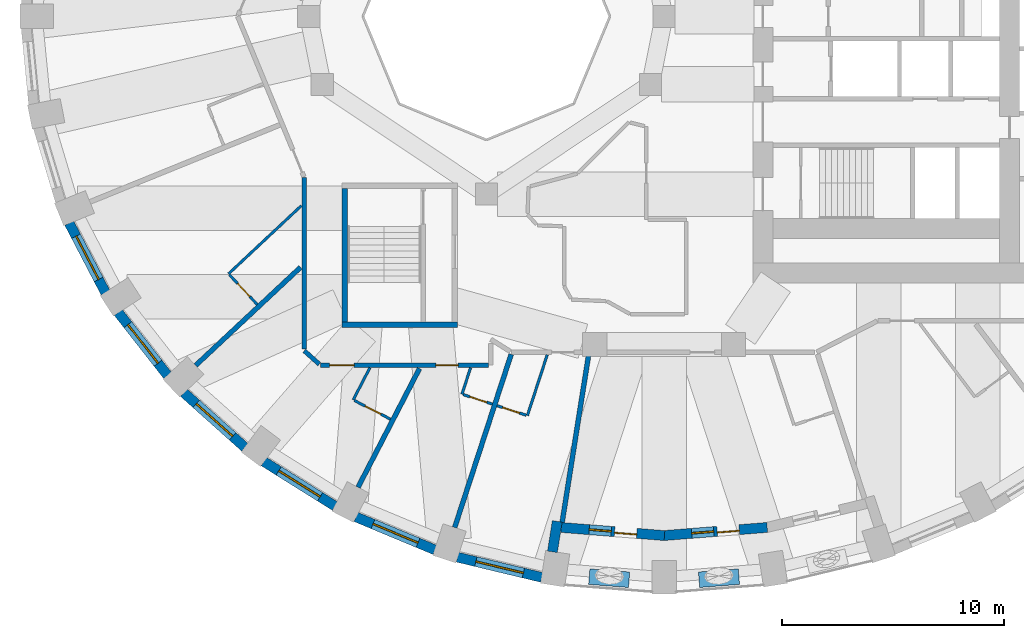
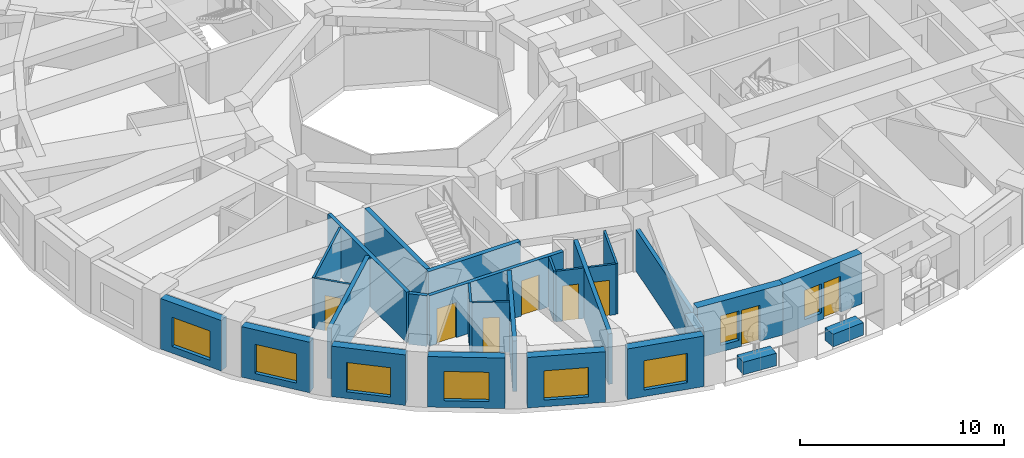
# One storey, part 3 of 13: 28 walls, 8 doors, 8 windows, 16 openings.
"""IFC4 building model written with IfcOpenShell, lengths in metres."""

import ifcopenshell
import ifcopenshell.guid

model = None  # the IFC model being written
_history = None  # IfcOwnerHistory: only IFC2X3 demands one
_inside = {}  # id of a spatial element -> (the spatial element, [elements in it])
_under = {}  # id of a project, library or spatial element -> (it, [spatial elements below it])
_declared = {}  # id of a project -> (the project, [libraries it declares])
_typed = {}  # id of a type object -> (the type object, [elements of that type])
_made_of = {}  # id of a material, layer set ... -> (it, [elements and type objects made of it])


def new_model(schema):
    """Start an empty IFC model of exactly this schema.

    Asked for "IFC4X3", IfcOpenShell would pick the latest addendum, in which some entities
    have other attributes; the version numbers below select the first issue.
    IFC2X3 requires an IfcOwnerHistory on every rooted entity: one is made here for all.
    """
    global model, _history
    if schema == "IFC4X3":
        model = ifcopenshell.file(schema_version=(4, 3, 0, 0))
    else:
        model = ifcopenshell.file(schema=schema)
    _inside.clear()
    _under.clear()
    _declared.clear()
    _typed.clear()
    _made_of.clear()
    _history = None
    if model.schema == "IFC2X3":
        org = make("IfcOrganization", Name="unknown")
        user = make(
            "IfcPersonAndOrganization",
            ThePerson=make("IfcPerson", FamilyName="unknown"),
            TheOrganization=org,
        )
        app = make(
            "IfcApplication",
            ApplicationDeveloper=org,
            Version="unknown",
            ApplicationFullName="unknown",
            ApplicationIdentifier="unknown",
        )
        _history = make(
            "IfcOwnerHistory",
            OwningUser=user,
            OwningApplication=app,
            ChangeAction="ADDED",
            CreationDate=0,
        )
    return model


def make(cls, **values):
    """One entity of the class cls with the attributes given. An attribute that is None is left unset."""
    return model.create_entity(
        cls, **{name: value for name, value in values.items() if value is not None}
    )


def rooted(cls, **values):
    """An entity with a GlobalId (a new one), such as an element, a storey or a relation."""
    return make(cls, GlobalId=ifcopenshell.guid.new(), OwnerHistory=_history, **values)


def si_unit(unit_type, name, prefix=None):
    """IfcSIUnit, for example si_unit("LENGTHUNIT", "METRE", prefix="MILLI")."""
    return make("IfcSIUnit", UnitType=unit_type, Prefix=prefix, Name=name)


def assignment(units):
    """IfcUnitAssignment: the units of a project."""
    return None if units is None else make("IfcUnitAssignment", Units=units)


def point(xyz):
    """IfcCartesianPoint."""
    return None if xyz is None else make("IfcCartesianPoint", Coordinates=xyz)


def direction(xyz):
    """IfcDirection."""
    return None if xyz is None else make("IfcDirection", DirectionRatios=xyz)


def frame(location, z_axis=None, x_axis=None):
    """IfcAxis2Placement3D, a coordinate frame: its origin and axes. An axis left out is left unset."""
    return make(
        "IfcAxis2Placement3D",
        Location=point(location),
        Axis=direction(z_axis),
        RefDirection=direction(x_axis),
    )


def frame_2d(location, x_axis=None):
    """IfcAxis2Placement2D, a coordinate frame in the plane: its origin and x axis."""
    return make(
        "IfcAxis2Placement2D", Location=point(location), RefDirection=direction(x_axis)
    )


def origin():
    """The frame at (0, 0, 0) with its axes left unset."""
    return frame((0.0, 0.0, 0.0))


def place(relative_to, where):
    """IfcLocalPlacement: puts the frame where relative to a parent placement (None: the world)."""
    return make(
        "IfcLocalPlacement", PlacementRelTo=relative_to, RelativePlacement=where
    )


def context(
    kind, dimensions, precision=None, world=None, true_north=None, identifier=None
):
    """IfcGeometricRepresentationContext, for example the 3D "Model" context."""
    return make(
        "IfcGeometricRepresentationContext",
        ContextIdentifier=identifier,
        ContextType=kind,
        CoordinateSpaceDimension=dimensions,
        Precision=precision,
        WorldCoordinateSystem=world,
        TrueNorth=true_north,
    )


def subcontext(parent, identifier, kind, view, scale=None):
    """IfcGeometricRepresentationSubContext, for example "Body" below "Model"."""
    return make(
        "IfcGeometricRepresentationSubContext",
        ContextIdentifier=identifier,
        ContextType=kind,
        ParentContext=parent,
        TargetScale=scale,
        TargetView=view,
    )


def project(units=None, contexts=None):
    """IfcProject with its units and contexts."""
    return rooted(
        "IfcProject",
        Name="project",
        RepresentationContexts=contexts,
        UnitsInContext=assignment(units),
    )


def spatial(cls, under=None, at=None, **own):
    """A site, building, storey or space (cls), placed at a placement, below another one or the project."""
    s = rooted(cls, ObjectPlacement=at, **own)
    if under is not None:
        _under.setdefault(under.id(), (under, []))[1].append(s)
    return s


def profile(cls, at=None, kind="AREA", **sizes):
    """A parametric profile (cls). Its sizes go by their IFC names, for example OverallWidth=200.0."""
    return make(cls, ProfileType=kind, Position=at, **sizes)


def rectangle(**sizes):
    """IfcRectangleProfileDef."""
    return profile("IfcRectangleProfileDef", **sizes)


def extrude(swept, where, along, depth):
    """IfcExtrudedAreaSolid: the profile swept, set in the frame where, extruded along a direction by depth."""
    return make(
        "IfcExtrudedAreaSolid",
        SweptArea=swept,
        Position=where,
        ExtrudedDirection=direction(along),
        Depth=depth,
    )


def shape(context_of_items, identifier, shape_type, items):
    """IfcShapeRepresentation: the items that make up one representation, for example the "Body"."""
    return make(
        "IfcShapeRepresentation",
        ContextOfItems=context_of_items,
        RepresentationIdentifier=identifier,
        RepresentationType=shape_type,
        Items=items,
    )


def material(Name=None, Category=None):
    """IfcMaterial."""
    return make("IfcMaterial", Name=Name, Category=Category)


def layer(
    of_material, thickness, ventilated=None, Name=None, Category=None, Priority=None
):
    """IfcMaterialLayer: one layer of a wall or slab, of a material (None: an air gap)."""
    return make(
        "IfcMaterialLayer",
        Material=of_material,
        LayerThickness=thickness,
        IsVentilated=ventilated,
        Name=Name,
        Category=Category,
        Priority=Priority,
    )


def layer_set(layers, Name=None):
    """IfcMaterialLayerSet."""
    return make("IfcMaterialLayerSet", MaterialLayers=layers, LayerSetName=Name)


def constituent(of_material, Name=None, Category=None, fraction=None):
    """IfcMaterialConstituent: one of the materials an element consists of."""
    return make(
        "IfcMaterialConstituent",
        Name=Name,
        Material=of_material,
        Fraction=fraction,
        Category=Category,
    )


def constituent_set(constituents=None, Name=None):
    """IfcMaterialConstituentSet."""
    return make(
        "IfcMaterialConstituentSet", Name=Name, MaterialConstituents=constituents
    )


def made_of(thing, what):
    """Note that an element or type object is made of a material, layer set ...; save() writes the relation."""
    if what is not None:
        _made_of.setdefault(what.id(), (what, []))[1].append(thing)
    return thing


def type_object(cls, material=None, **own):
    """A type object (cls), such as IfcWallType, which elements share."""
    return made_of(rooted(cls, **own), material)


def element(
    cls,
    number,
    at=None,
    inside=None,
    cuts=None,
    type_object=None,
    material=None,
    context=None,
    identifier="Body",
    shape_type=None,
    held_by="IfcProductDefinitionShape",
    body=None,
    shapes=None,
    **own,
):
    """One element of the class cls, such as IfcWall. Its Tag is "e" and its number.

    at: its placement. inside: the storey or other place that contains it. cuts: it is an
    opening in that element (IfcRelVoidsElement). A single representation is given by context,
    identifier, shape_type and body (its items); several are given by shapes. held_by: the class
    of the entity that holds the representations. save() writes the other relations.
    """
    e = rooted(cls, Tag="e%d" % number, ObjectPlacement=at, **own)
    if body is not None:
        shapes = [shape(context, identifier, shape_type, body)]
    if shapes is not None:
        e.Representation = make(held_by, Representations=shapes)
    if inside is not None:
        _inside.setdefault(inside.id(), (inside, []))[1].append(e)
    if cuts is not None:
        rooted(
            "IfcRelVoidsElement", RelatingBuildingElement=cuts, RelatedOpeningElement=e
        )
    if type_object is not None:
        _typed.setdefault(type_object.id(), (type_object, []))[1].append(e)
    return made_of(e, material)


def fill(opening, filler):
    """IfcRelFillsElement: the door or window that sits in an opening."""
    return rooted(
        "IfcRelFillsElement",
        RelatingOpeningElement=opening,
        RelatedBuildingElement=filler,
    )


def aggregate(whole, parts):
    """IfcRelAggregates: a whole, such as a stair, and the parts it consists of."""
    return rooted("IfcRelAggregates", RelatingObject=whole, RelatedObjects=parts)


def save(model, path):
    """Write the relations noted so far, then the file.

    IfcRelAggregates (storeys below a building ...), IfcRelContainedInSpatialStructure (elements
    in a storey), IfcRelDefinesByType, IfcRelAssociatesMaterial and IfcRelDeclares: one each for
    every whole, place, type object, material and project.
    """
    for whole, parts in _under.values():
        aggregate(whole, parts)
    for where, things in _inside.values():
        rooted(
            "IfcRelContainedInSpatialStructure",
            RelatedElements=things,
            RelatingStructure=where,
        )
    for kind, things in _typed.values():
        rooted("IfcRelDefinesByType", RelatedObjects=things, RelatingType=kind)
    for what, things in _made_of.values():
        rooted("IfcRelAssociatesMaterial", RelatedObjects=things, RelatingMaterial=what)
    for by, libraries in _declared.values():
        rooted("IfcRelDeclares", RelatingContext=by, RelatedDefinitions=libraries)
    model.write(path)


model = new_model("IFC4")

# Units and contexts
model_context = context("Model", 3, precision=1e-05, world=origin(), true_north=direction((0.0, 1.0)))
body_context = subcontext(model_context, "Body", "Model", "MODEL_VIEW")
ifc_project = project(units=[si_unit("LENGTHUNIT", "METRE"), si_unit("AREAUNIT", "SQUARE_METRE"), si_unit("VOLUMEUNIT", "CUBIC_METRE"), si_unit("PLANEANGLEUNIT", "RADIAN"), si_unit("MASSUNIT", "GRAM", prefix="KILO")], contexts=[model_context])

# Site, building, storey
site_placement = place(None, origin())
site = spatial("IfcSite", under=ifc_project, at=site_placement, CompositionType="ELEMENT")
building_placement = place(site_placement, origin())
building = spatial("IfcBuilding", under=site, at=building_placement, Name="Taillehof Tower", CompositionType="ELEMENT")
storey_placement = place(building_placement, frame((0.0, 0.0, 77.800048828125)))
storey = spatial("IfcBuildingStorey", under=building, at=storey_placement, Name="L21", CompositionType="ELEMENT", Elevation=77.800048828125)

# Wall, opening, window
ifc_material_1 = material(Name="Brick masonry", Category="masonry")
ifc_layer_1 = layer(ifc_material_1, 0.449951171875)
ifc_layer_set_1 = layer_set([ifc_layer_1], Name="Brick infill wall 450")
wall_type_1 = type_object("IfcWallType", Name="Brick infill wall 450", PredefinedType="SOLIDWALL", material=ifc_layer_set_1)
wall_1_placement = place(storey_placement, frame((-26.78564453125, -9.30517578125, 0.0), z_axis=(0.0, 0.0, 1.0), x_axis=(0.462492775226, -0.886623050041, 0.0)))
wall_1 = element("IfcWall", 1, at=wall_1_placement, inside=storey, type_object=wall_type_1, Name="Brick wall L21 bay 21", PredefinedType="SOLIDWALL", context=body_context, shape_type="SweptSolid", body=[
    extrude(rectangle(XDim=3.531982421875, YDim=0.449951171875, at=frame_2d((1.76611328125, 0.0))), origin(), (0.0, 0.0, 1.0), 3.02001953125),
])
opening_1_placement = place(wall_1_placement, frame((0.666015625, 0.0, 0.39990234375)))
opening_1 = element("IfcOpeningElement", 2, at=opening_1_placement, cuts=wall_1, Name="Opening W1", PredefinedType="OPENING", context=body_context, shape_type="SweptSolid", body=[
    extrude(rectangle(XDim=2.199951171875, YDim=1.75, at=frame_2d((1.10009765625, 0.875))), frame((0.0, 0.23486328125, 0.0), z_axis=(0.0, -1.0, 0.0), x_axis=(1.0, 0.0, 0.0)), (0.0, 0.0, 1.0), 0.469970703125),
])
ifc_material_2 = material(Name="Aluminium window frame with clear double glazing", Category="aluminium")
window_type_1 = type_object("IfcWindowType", Name="Deep-set window 2200x1750", PartitioningType="SINGLE_PANEL", PredefinedType="WINDOW", material=ifc_material_2)
window_1_placement = place(opening_1_placement, origin())
window_1 = element("IfcWindow", 3, at=window_1_placement, inside=storey, type_object=window_type_1, Name="W1", OverallHeight=1.75, OverallWidth=2.199951171875, PartitioningType="SINGLE_PANEL", PredefinedType="WINDOW", context=body_context, shape_type="SweptSolid", body=[
    extrude(rectangle(XDim=2.199951171875, YDim=1.75, at=frame_2d((1.10009765625, 0.875))), frame((0.0, 0.034912109375, 0.0), z_axis=(0.0, -1.0, 0.0), x_axis=(1.0, 0.0, 0.0)), (0.0, 0.0, 1.0), 0.06005859375),
])
fill(opening_1, window_1)

wall_2_placement = place(storey_placement, frame((-24.57763671875, -13.327880859375, 0.0), z_axis=(0.0, 0.0, 1.0), x_axis=(0.616661975264, -0.787228053529, 0.0)))
wall_2 = element("IfcWall", 4, at=wall_2_placement, inside=storey, type_object=wall_type_1, Name="Brick wall L21 bay 22", PredefinedType="SOLIDWALL", context=body_context, shape_type="SweptSolid", body=[
    extrude(rectangle(XDim=3.60986328125, YDim=0.449951171875, at=frame_2d((1.804931640625, 0.0))), origin(), (0.0, 0.0, 1.0), 3.02001953125),
])
opening_2_placement = place(wall_2_placement, frame((0.704833984375, 0.0, 0.39990234375)))
opening_2 = element("IfcOpeningElement", 5, at=opening_2_placement, cuts=wall_2, Name="Opening W1", PredefinedType="OPENING", context=body_context, shape_type="SweptSolid", body=[
    extrude(rectangle(XDim=2.199951171875, YDim=1.75, at=frame_2d((1.10009765625, 0.875))), frame((0.0, 0.23486328125, 0.0), z_axis=(0.0, -1.0, 0.0), x_axis=(1.0, 0.0, 0.0)), (0.0, 0.0, 1.0), 0.469970703125),
])
window_2_placement = place(opening_2_placement, origin())
window_2 = element("IfcWindow", 6, at=window_2_placement, inside=storey, type_object=window_type_1, Name="W1", OverallHeight=1.75, OverallWidth=2.199951171875, PartitioningType="SINGLE_PANEL", PredefinedType="WINDOW", context=body_context, shape_type="SweptSolid", body=[
    extrude(rectangle(XDim=2.199951171875, YDim=1.75, at=frame_2d((1.10009765625, 0.875))), frame((0.0, 0.034912109375, 0.0), z_axis=(0.0, -1.0, 0.0), x_axis=(1.0, 0.0, 0.0)), (0.0, 0.0, 1.0), 0.06005859375),
])
fill(opening_2, window_2)

wall_3_placement = place(storey_placement, frame((-21.626708984375, -16.943115234375, 0.0), z_axis=(0.0, 0.0, 1.0), x_axis=(0.745526233716, -0.66647628228, 0.0)))
wall_3 = element("IfcWall", 7, at=wall_3_placement, inside=storey, type_object=wall_type_1, Name="Brick wall L21 bay 23", PredefinedType="SOLIDWALL", context=body_context, shape_type="SweptSolid", body=[
    extrude(rectangle(XDim=3.69677734375, YDim=0.449951171875, at=frame_2d((1.848388671875, 0.0))), origin(), (0.0, 0.0, 1.0), 3.02001953125),
])
opening_3_placement = place(wall_3_placement, frame((0.74853515625, 0.0, 0.39990234375)))
opening_3 = element("IfcOpeningElement", 8, at=opening_3_placement, cuts=wall_3, Name="Opening W1", PredefinedType="OPENING", context=body_context, shape_type="SweptSolid", body=[
    extrude(rectangle(XDim=2.199951171875, YDim=1.75, at=frame_2d((1.10009765625, 0.875))), frame((0.0, 0.23486328125, 0.0), z_axis=(0.0, -1.0, 0.0), x_axis=(1.0, 0.0, 0.0)), (0.0, 0.0, 1.0), 0.469970703125),
])
window_3_placement = place(opening_3_placement, origin())
window_3 = element("IfcWindow", 9, at=window_3_placement, inside=storey, type_object=window_type_1, Name="W1", OverallHeight=1.75, OverallWidth=2.199951171875, PartitioningType="SINGLE_PANEL", PredefinedType="WINDOW", context=body_context, shape_type="SweptSolid", body=[
    extrude(rectangle(XDim=2.199951171875, YDim=1.75, at=frame_2d((1.10009765625, 0.875))), frame((0.0, 0.034912109375, 0.0), z_axis=(0.0, -1.0, 0.0), x_axis=(1.0, 0.0, 0.0)), (0.0, 0.0, 1.0), 0.06005859375),
])
fill(opening_3, window_3)

wall_4_placement = place(storey_placement, frame((-18.02294921875, -20.043701171875, 0.0), z_axis=(0.0, 0.0, 1.0), x_axis=(0.847635480093, -0.530579016629, 0.0)))
wall_4 = element("IfcWall", 10, at=wall_4_placement, inside=storey, type_object=wall_type_1, Name="Brick wall L21 bay 24", PredefinedType="SOLIDWALL", context=body_context, shape_type="SweptSolid", body=[
    extrude(rectangle(XDim=3.782470703125, YDim=0.449951171875, at=frame_2d((1.89111328125, 0.0))), origin(), (0.0, 0.0, 1.0), 3.02001953125),
])
opening_4_placement = place(wall_4_placement, frame((0.791259765625, 0.0, 0.39990234375)))
opening_4 = element("IfcOpeningElement", 11, at=opening_4_placement, cuts=wall_4, Name="Opening W1", PredefinedType="OPENING", context=body_context, shape_type="SweptSolid", body=[
    extrude(rectangle(XDim=2.199951171875, YDim=1.75, at=frame_2d((1.10009765625, 0.875))), frame((0.0, 0.23486328125, 0.0), z_axis=(0.0, -1.0, 0.0), x_axis=(1.0, 0.0, 0.0)), (0.0, 0.0, 1.0), 0.469970703125),
])
window_4_placement = place(opening_4_placement, origin())
window_4 = element("IfcWindow", 12, at=window_4_placement, inside=storey, type_object=window_type_1, Name="W1", OverallHeight=1.75, OverallWidth=2.199951171875, PartitioningType="SINGLE_PANEL", PredefinedType="WINDOW", context=body_context, shape_type="SweptSolid", body=[
    extrude(rectangle(XDim=2.199951171875, YDim=1.75, at=frame_2d((1.10009765625, 0.875))), frame((0.0, 0.034912109375, 0.0), z_axis=(0.0, -1.0, 0.0), x_axis=(1.0, 0.0, 0.0)), (0.0, 0.0, 1.0), 0.06005859375),
])
fill(opening_4, window_4)

wall_5_placement = place(storey_placement, frame((-13.875, -22.537353515625, 0.0), z_axis=(0.0, 0.0, 1.0), x_axis=(0.923031964282, -0.384723267966, 0.0)))
wall_5 = element("IfcWall", 13, at=wall_5_placement, inside=storey, type_object=wall_type_1, Name="Brick wall L21 bay 25", PredefinedType="SOLIDWALL", context=body_context, shape_type="SweptSolid", body=[
    extrude(rectangle(XDim=3.8564453125, YDim=0.449951171875, at=frame_2d((1.92822265625, 0.0))), origin(), (0.0, 0.0, 1.0), 3.02001953125),
])
opening_5_placement = place(wall_5_placement, frame((0.828125, 0.0, 0.39990234375)))
opening_5 = element("IfcOpeningElement", 14, at=opening_5_placement, cuts=wall_5, Name="Opening W1", PredefinedType="OPENING", context=body_context, shape_type="SweptSolid", body=[
    extrude(rectangle(XDim=2.199951171875, YDim=1.75, at=frame_2d((1.10009765625, 0.875))), frame((0.0, 0.23486328125, 0.0), z_axis=(0.0, -1.0, 0.0), x_axis=(1.0, 0.0, 0.0)), (0.0, 0.0, 1.0), 0.469970703125),
])
window_5_placement = place(opening_5_placement, origin())
window_5 = element("IfcWindow", 15, at=window_5_placement, inside=storey, type_object=window_type_1, Name="W1", OverallHeight=1.75, OverallWidth=2.199951171875, PartitioningType="SINGLE_PANEL", PredefinedType="WINDOW", context=body_context, shape_type="SweptSolid", body=[
    extrude(rectangle(XDim=2.199951171875, YDim=1.75, at=frame_2d((1.10009765625, 0.875))), frame((0.0, 0.034912109375, 0.0), z_axis=(0.0, -1.0, 0.0), x_axis=(1.0, 0.0, 0.0)), (0.0, 0.0, 1.0), 0.06005859375),
])
fill(opening_5, window_5)

wall_6_placement = place(storey_placement, frame((-9.3076171875, -24.349609375, 0.0), z_axis=(0.0, 0.0, 1.0), x_axis=(0.972496561493, -0.232917233979, 0.0)))
wall_6 = element("IfcWall", 16, at=wall_6_placement, inside=storey, type_object=wall_type_1, Name="Brick wall L21 bay 26", PredefinedType="SOLIDWALL", context=body_context, shape_type="SweptSolid", body=[
    extrude(rectangle(XDim=3.910888671875, YDim=0.449951171875, at=frame_2d((1.95556640625, 0.0))), origin(), (0.0, 0.0, 1.0), 3.02001953125),
])
opening_6_placement = place(wall_6_placement, frame((0.855224609375, 0.0, 0.39990234375)))
opening_6 = element("IfcOpeningElement", 17, at=opening_6_placement, cuts=wall_6, Name="Opening W1", PredefinedType="OPENING", context=body_context, shape_type="SweptSolid", body=[
    extrude(rectangle(XDim=2.199951171875, YDim=1.75, at=frame_2d((1.10009765625, 0.875))), frame((0.0, 0.23486328125, 0.0), z_axis=(0.0, -1.0, 0.0), x_axis=(1.0, 0.0, 0.0)), (0.0, 0.0, 1.0), 0.469970703125),
])
window_6_placement = place(opening_6_placement, origin())
window_6 = element("IfcWindow", 18, at=window_6_placement, inside=storey, type_object=window_type_1, Name="W1", OverallHeight=1.75, OverallWidth=2.199951171875, PartitioningType="SINGLE_PANEL", PredefinedType="WINDOW", context=body_context, shape_type="SweptSolid", body=[
    extrude(rectangle(XDim=2.199951171875, YDim=1.75, at=frame_2d((1.10009765625, 0.875))), frame((0.0, 0.034912109375, 0.0), z_axis=(0.0, -1.0, 0.0), x_axis=(1.0, 0.0, 0.0)), (0.0, 0.0, 1.0), 0.06005859375),
])
fill(opening_6, window_6)

# Wall
wall_7_placement = place(storey_placement, frame((-5.02685546875, -24.108154296875, 0.0), z_axis=(0.0, 0.0, 1.0), x_axis=(0.156133927791, 0.98773589415, 0.0)))
element("IfcWall", 19, at=wall_7_placement, inside=storey, type_object=wall_type_1, Name="Brick reveal L21 pocket 8", PredefinedType="SOLIDWALL", context=body_context, shape_type="SweptSolid", body=[
    extrude(rectangle(XDim=1.39013671875, YDim=0.449951171875, at=frame_2d((0.695068359375, 0.0))), origin(), (0.0, 0.0, 1.0), 2.469970703125),
])

# Wall, openings, door, window
wall_8_placement = place(storey_placement, frame((-4.625732421875, -23.011474609375, 0.0), z_axis=(0.0, 0.0, 1.0), x_axis=(0.996937095772, -0.078207589615, 0.0)))
wall_8 = element("IfcWall", 20, at=wall_8_placement, inside=storey, type_object=wall_type_1, Name="Brick wall L21 pocket bay 27", PredefinedType="SOLIDWALL", context=body_context, shape_type="SweptSolid", body=[
    extrude(rectangle(XDim=4.657470703125, YDim=0.449951171875, at=frame_2d((2.32861328125, 0.0))), origin(), (0.0, 0.0, 1.0), 3.02001953125),
])
opening_7_placement = place(wall_8_placement, frame((1.25390625, 0.0, 0.39990234375)))
opening_7 = element("IfcOpeningElement", 21, at=opening_7_placement, cuts=wall_8, Name="Opening W5", PredefinedType="OPENING", context=body_context, shape_type="SweptSolid", body=[
    extrude(rectangle(XDim=1.0, YDim=1.75, at=frame_2d((0.5, 0.875))), frame((0.0, 0.23486328125, 0.0), z_axis=(0.0, -1.0, 0.0), x_axis=(1.0, 0.0, 0.0)), (0.0, 0.0, 1.0), 0.469970703125),
])
opening_8_placement = place(wall_8_placement, frame((2.40380859375, 0.0, 0.0)))
opening_8 = element("IfcOpeningElement", 22, at=opening_8_placement, cuts=wall_8, Name="Opening D2191", PredefinedType="OPENING", context=body_context, shape_type="SweptSolid", body=[
    extrude(rectangle(XDim=1.0, YDim=2.14990234375, at=frame_2d((0.5, 1.074951171875))), frame((0.0, 0.23486328125, 0.0), z_axis=(0.0, -1.0, 0.0), x_axis=(1.0, 0.0, 0.0)), (0.0, 0.0, 1.0), 0.469970703125),
])
ifc_material_3 = material(Name="Aluminium door frame with clear double glazing", Category="aluminium")
door_type_1 = type_object("IfcDoorType", Name="Balcony door 1000x2150", OperationType="SINGLE_SWING_RIGHT", PredefinedType="DOOR", material=ifc_material_3)
door_1_placement = place(opening_8_placement, frame((1.0, 0.0, 0.0), z_axis=(0.0, 0.0, 1.0), x_axis=(-1.0, 0.0, 0.0)))
door_1 = element("IfcDoor", 23, at=door_1_placement, inside=storey, type_object=door_type_1, Name="Balcony door L21 bay 27", OperationType="SINGLE_SWING_RIGHT", OverallHeight=2.14990234375, OverallWidth=1.0, PredefinedType="DOOR", context=body_context, shape_type="SweptSolid", body=[
    extrude(rectangle(XDim=1.0, YDim=2.14990234375, at=frame_2d((0.5, 1.074951171875))), frame((0.0, 0.0751953125, 0.0), z_axis=(0.0, -1.0, 0.0), x_axis=(1.0, 0.0, 0.0)), (0.0, 0.0, 1.0), 0.050048828125),
])
fill(opening_8, door_1)
ifc_material_4 = material(Name="Aluminium window frame with clear double glazing", Category="aluminium")
window_type_2 = type_object("IfcWindowType", Name="Fixed window 1000x1750", PartitioningType="SINGLE_PANEL", PredefinedType="WINDOW", material=ifc_material_4)
window_7_placement = place(opening_7_placement, origin())
window_7 = element("IfcWindow", 24, at=window_7_placement, inside=storey, type_object=window_type_2, Name="W5", OverallHeight=1.75, OverallWidth=1.0, PartitioningType="SINGLE_PANEL", PredefinedType="WINDOW", context=body_context, shape_type="SweptSolid", body=[
    extrude(rectangle(XDim=1.0, YDim=1.75, at=frame_2d((0.5, 0.875))), frame((0.0, 0.034912109375, 0.0), z_axis=(0.0, -1.0, 0.0), x_axis=(1.0, 0.0, 0.0)), (0.0, 0.0, 1.0), 0.06005859375),
])
fill(opening_7, window_7)

wall_9_placement = place(storey_placement, frame((-0.017578125, -23.375732421875, 0.0), z_axis=(0.0, 0.0, 1.0), x_axis=(0.996935982964, 0.078221773648, 0.0)))
wall_9 = element("IfcWall", 25, at=wall_9_placement, inside=storey, type_object=wall_type_1, Name="Brick wall L21 pocket bay 28", PredefinedType="SOLIDWALL", context=body_context, shape_type="SweptSolid", body=[
    extrude(rectangle(XDim=4.675537109375, YDim=0.449951171875, at=frame_2d((2.337890625, 0.0))), origin(), (0.0, 0.0, 1.0), 3.02001953125),
])
opening_9_placement = place(wall_9_placement, frame((1.2626953125, 0.0, 0.39990234375)))
opening_9 = element("IfcOpeningElement", 26, at=opening_9_placement, cuts=wall_9, Name="Opening W5", PredefinedType="OPENING", context=body_context, shape_type="SweptSolid", body=[
    extrude(rectangle(XDim=1.0, YDim=1.75, at=frame_2d((0.5, 0.875))), frame((0.0, 0.23486328125, 0.0), z_axis=(0.0, -1.0, 0.0), x_axis=(1.0, 0.0, 0.0)), (0.0, 0.0, 1.0), 0.469970703125),
])
opening_10_placement = place(wall_9_placement, frame((2.41259765625, 0.0, 0.0)))
opening_10 = element("IfcOpeningElement", 27, at=opening_10_placement, cuts=wall_9, Name="Opening D2192", PredefinedType="OPENING", context=body_context, shape_type="SweptSolid", body=[
    extrude(rectangle(XDim=1.0, YDim=2.14990234375, at=frame_2d((0.5, 1.074951171875))), frame((0.0, 0.23486328125, 0.0), z_axis=(0.0, -1.0, 0.0), x_axis=(1.0, 0.0, 0.0)), (0.0, 0.0, 1.0), 0.469970703125),
])
door_2_placement = place(opening_10_placement, frame((1.0, 0.0, 0.0), z_axis=(0.0, 0.0, 1.0), x_axis=(-1.0, 0.0, 0.0)))
door_2 = element("IfcDoor", 28, at=door_2_placement, inside=storey, type_object=door_type_1, Name="Balcony door L21 bay 28", OperationType="SINGLE_SWING_LEFT", OverallHeight=2.14990234375, OverallWidth=1.0, PredefinedType="DOOR", context=body_context, shape_type="SweptSolid", body=[
    extrude(rectangle(XDim=1.0, YDim=2.14990234375, at=frame_2d((0.5, 1.074951171875))), frame((0.0, 0.0751953125, 0.0), z_axis=(0.0, -1.0, 0.0), x_axis=(1.0, 0.0, 0.0)), (0.0, 0.0, 1.0), 0.050048828125),
])
fill(opening_10, door_2)
window_8_placement = place(opening_9_placement, origin())
window_8 = element("IfcWindow", 29, at=window_8_placement, inside=storey, type_object=window_type_2, Name="W5", OverallHeight=1.75, OverallWidth=1.0, PartitioningType="SINGLE_PANEL", PredefinedType="WINDOW", context=body_context, shape_type="SweptSolid", body=[
    extrude(rectangle(XDim=1.0, YDim=1.75, at=frame_2d((0.5, 0.875))), frame((0.0, 0.034912109375, 0.0), z_axis=(0.0, -1.0, 0.0), x_axis=(1.0, 0.0, 0.0)), (0.0, 0.0, 1.0), 0.06005859375),
])
fill(opening_9, window_8)

# Wall, openings, doors
ifc_material_5 = material(Name="Gypsum board on steel studs, two layers each side", Category="steel")
ifc_layer_2 = layer(ifc_material_5, 0.199951171875)
ifc_layer_set_2 = layer_set([ifc_layer_2], Name="Compartment wall corridor 200")
wall_type_2 = type_object("IfcWallType", Name="Compartment wall corridor 200", PredefinedType="PARTITIONING", material=ifc_layer_set_2)
wall_10_placement = place(storey_placement, frame((-7.900146484375, -15.699951171875, 0.0), z_axis=(0.0, 0.0, 1.0), x_axis=(-1.0, 0.0, 0.0)))
wall_10 = element("IfcWall", 30, at=wall_10_placement, inside=storey, type_object=wall_type_2, Name="Compartment wall", PredefinedType="PARTITIONING", context=body_context, shape_type="SweptSolid", body=[
    extrude(rectangle(XDim=7.579833984375, YDim=0.199951171875, at=frame_2d((3.7900390625, 0.0))), origin(), (0.0, 0.0, 1.0), 3.02001953125),
])
opening_11_placement = place(wall_10_placement, frame((6.05419921875, 0.0, 0.0)))
opening_11 = element("IfcOpeningElement", 31, at=opening_11_placement, cuts=wall_10, Name="Opening D2154", PredefinedType="OPENING", context=body_context, shape_type="SweptSolid", body=[
    extrude(rectangle(XDim=1.10009765625, YDim=2.10009765625, at=frame_2d((0.550048828125, 1.050048828125))), frame((0.0, 0.10986328125, 0.0), z_axis=(0.0, -1.0, 0.0), x_axis=(1.0, 0.0, 0.0)), (0.0, 0.0, 1.0), 0.219970703125),
])
opening_12_placement = place(wall_10_placement, frame((1.376708984375, 0.0, 0.0)))
opening_12 = element("IfcOpeningElement", 32, at=opening_12_placement, cuts=wall_10, Name="Opening D2156", PredefinedType="OPENING", context=body_context, shape_type="SweptSolid", body=[
    extrude(rectangle(XDim=1.0, YDim=2.10009765625, at=frame_2d((0.5, 1.050048828125))), frame((0.0, 0.10986328125, 0.0), z_axis=(0.0, -1.0, 0.0), x_axis=(1.0, 0.0, 0.0)), (0.0, 0.0, 1.0), 0.219970703125),
])
ifc_material_6 = material(Name="Timber door leaf in steel frame", Category="steel")
door_type_2 = type_object("IfcDoorType", Name="Guest room door EI 30 1000 x 2100", OperationType="SINGLE_SWING_LEFT", PredefinedType="DOOR", material=ifc_material_6)
door_3_placement = place(opening_12_placement, origin())
door_3 = element("IfcDoor", 33, at=door_3_placement, inside=storey, type_object=door_type_2, Name="D2156", OperationType="SINGLE_SWING_LEFT", OverallHeight=2.10009765625, OverallWidth=1.0, PredefinedType="DOOR", context=body_context, shape_type="SweptSolid", body=[
    extrude(rectangle(XDim=1.0, YDim=2.10009765625, at=frame_2d((0.5, 1.050048828125))), frame((0.0, 0.02490234375, 0.0), z_axis=(0.0, -1.0, 0.0), x_axis=(1.0, 0.0, 0.0)), (0.0, 0.0, 1.0), 0.050048828125),
])
fill(opening_12, door_3)
ifc_material_7 = material(Name="Timber door leaf in steel frame", Category="steel")
door_type_3 = type_object("IfcDoorType", Name="Suite entrance door EI 30 1100 x 2100", OperationType="SINGLE_SWING_LEFT", PredefinedType="DOOR", material=ifc_material_7)
door_4_placement = place(opening_11_placement, origin())
door_4 = element("IfcDoor", 34, at=door_4_placement, inside=storey, type_object=door_type_3, Name="D2154", OperationType="SINGLE_SWING_LEFT", OverallHeight=2.10009765625, OverallWidth=1.10009765625, PredefinedType="DOOR", context=body_context, shape_type="SweptSolid", body=[
    extrude(rectangle(XDim=1.10009765625, YDim=2.10009765625, at=frame_2d((0.550048828125, 1.050048828125))), frame((0.0, 0.02490234375, 0.0), z_axis=(0.0, -1.0, 0.0), x_axis=(1.0, 0.0, 0.0)), (0.0, 0.0, 1.0), 0.050048828125),
])
fill(opening_11, door_4)

# Walls
wall_11_placement = place(storey_placement, frame((-15.524658203125, -15.65966796875, 0.0), z_axis=(0.0, 0.0, 1.0), x_axis=(-0.744684787626, 0.667416337138, 0.0)))
element("IfcWall", 35, at=wall_11_placement, inside=storey, type_object=wall_type_2, Name="Compartment wall", PredefinedType="PARTITIONING", context=body_context, shape_type="SweptSolid", body=[
    extrude(rectangle(XDim=0.90673828125, YDim=0.199951171875, at=frame_2d((0.453369140625, 0.0))), origin(), (0.0, 0.0, 1.0), 3.02001953125),
])
wall_12_placement = place(storey_placement, frame((-16.199951171875, -14.974365234375, 0.0), z_axis=(0.0, 0.0, 1.0), x_axis=(0.0, 1.0, 0.0)))
element("IfcWall", 36, at=wall_12_placement, inside=storey, type_object=wall_type_2, Name="Compartment wall", PredefinedType="PARTITIONING", context=body_context, shape_type="SweptSolid", body=[
    extrude(rectangle(XDim=7.716064453125, YDim=0.199951171875, at=frame_2d((3.85791015625, 0.0))), origin(), (0.0, 0.0, 1.0), 3.02001953125),
])
ifc_material_8 = material(Name="Gypsum board on double steel studs with mineral wool", Category="steel")
ifc_layer_3 = layer(ifc_material_8, 0.219970703125)
ifc_layer_set_3 = layer_set([ifc_layer_3], Name="Compartment wall guest room 220")
wall_type_3 = type_object("IfcWallType", Name="Compartment wall guest room 220", PredefinedType="PARTITIONING", material=ifc_layer_set_3)
wall_13_placement = place(storey_placement, frame((-21.09326171875, -15.7177734375, 0.0), z_axis=(0.0, 0.0, 1.0), x_axis=(0.730096357883, 0.68334420917, 0.0)))
element("IfcWall", 37, at=wall_13_placement, inside=storey, type_object=wall_type_3, Name="Compartment wall", PredefinedType="PARTITIONING", context=body_context, shape_type="SweptSolid", body=[
    extrude(rectangle(XDim=6.46484375, YDim=0.219970703125, at=frame_2d((3.232421875, 0.0))), origin(), (0.0, 0.0, 1.0), 3.02001953125),
])
wall_14_placement = place(storey_placement, frame((-13.7802734375, -21.201171875, 0.0), z_axis=(0.0, 0.0, 1.0), x_axis=(0.459689820266, 0.888079539875, 0.0)))
element("IfcWall", 38, at=wall_14_placement, inside=storey, type_object=wall_type_3, Name="Compartment wall", PredefinedType="PARTITIONING", context=body_context, shape_type="SweptSolid", body=[
    extrude(rectangle(XDim=6.021484375, YDim=0.219970703125, at=frame_2d((3.0107421875, 0.0))), origin(), (0.0, 0.0, 1.0), 3.02001953125),
])
wall_15_placement = place(storey_placement, frame((-9.429443359375, -23.01416015625, 0.0), z_axis=(0.0, 0.0, 1.0), x_axis=(0.310248090606, 0.950655627594, 0.0)))
element("IfcWall", 39, at=wall_15_placement, inside=storey, type_object=wall_type_3, Name="Compartment wall", PredefinedType="PARTITIONING", context=body_context, shape_type="SweptSolid", body=[
    extrude(rectangle(XDim=8.202880859375, YDim=0.219970703125, at=frame_2d((4.1015625, 0.0))), origin(), (0.0, 0.0, 1.0), 3.02001953125),
])
wall_16_placement = place(storey_placement, frame((-4.590576171875, -22.78857421875, 0.0), z_axis=(0.0, 0.0, 1.0), x_axis=(0.156151107863, 0.987733178299, 0.0)))
element("IfcWall", 40, at=wall_16_placement, inside=storey, type_object=wall_type_3, Name="Compartment wall", PredefinedType="PARTITIONING", context=body_context, shape_type="SweptSolid", body=[
    extrude(rectangle(XDim=7.64697265625, YDim=0.219970703125, at=frame_2d((3.823486328125, 0.0))), origin(), (0.0, 0.0, 1.0), 2.469970703125),
])
ifc_material_9 = material(Name="Gypsum board on steel studs, moisture resistant", Category="steel")
ifc_layer_4 = layer(ifc_material_9, 0.1201171875)
ifc_layer_set_4 = layer_set([ifc_layer_4], Name="En-suite wall 120")
wall_type_4 = type_object("IfcWallType", Name="En-suite wall 120", PredefinedType="PARTITIONING", material=ifc_layer_set_4)
wall_17_placement = place(storey_placement, frame((-16.329345703125, -8.519775390625, 0.0), z_axis=(0.0, 0.0, 1.0), x_axis=(-0.730102689118, -0.68333744471, 0.0)))
element("IfcWall", 41, at=wall_17_placement, inside=storey, type_object=wall_type_4, Name="En-suite wall", PredefinedType="PARTITIONING", context=body_context, shape_type="SweptSolid", body=[
    extrude(rectangle(XDim=4.494873046875, YDim=0.1201171875, at=frame_2d((2.24755859375, 0.0))), origin(), (0.0, 0.0, 1.0), 3.02001953125),
])
wall_18_placement = place(storey_placement, frame((-13.245849609375, -15.81787109375, 0.0), z_axis=(0.0, 0.0, 1.0), x_axis=(-0.459675202516, -0.888087106196, 0.0)))
element("IfcWall", 42, at=wall_18_placement, inside=storey, type_object=wall_type_4, Name="En-suite wall", PredefinedType="PARTITIONING", context=body_context, shape_type="SweptSolid", body=[
    extrude(rectangle(XDim=1.632080078125, YDim=0.1201171875, at=frame_2d((0.81591796875, 0.0))), origin(), (0.0, 0.0, 1.0), 3.02001953125),
])
wall_19_placement = place(storey_placement, frame((-8.7119140625, -15.819091796875, 0.0), z_axis=(0.0, 0.0, 1.0), x_axis=(-0.310322794195, -0.950631244702, 0.0)))
element("IfcWall", 43, at=wall_19_placement, inside=storey, type_object=wall_type_4, Name="En-suite wall", PredefinedType="PARTITIONING", context=body_context, shape_type="SweptSolid", body=[
    extrude(rectangle(XDim=1.254150390625, YDim=0.1201171875, at=frame_2d((0.626953125, 0.0))), origin(), (0.0, 0.0, 1.0), 3.02001953125),
])
wall_20_placement = place(storey_placement, frame((-5.26025390625, -15.234619140625, 0.0), z_axis=(0.0, 0.0, 1.0), x_axis=(-0.310220453498, -0.950664646567, 0.0)))
element("IfcWall", 44, at=wall_20_placement, inside=storey, type_object=wall_type_4, Name="En-suite wall", PredefinedType="PARTITIONING", context=body_context, shape_type="SweptSolid", body=[
    extrude(rectangle(XDim=2.88037109375, YDim=0.1201171875, at=frame_2d((1.440185546875, 0.0))), origin(), (0.0, 0.0, 1.0), 3.02001953125),
])

# Wall, opening, door
wall_21_placement = place(storey_placement, frame((-19.570068359375, -11.635009765625, 0.0), z_axis=(0.0, 0.0, 1.0), x_axis=(0.683306289544, -0.730131847456, 0.0)))
wall_21 = element("IfcWall", 45, at=wall_21_placement, inside=storey, type_object=wall_type_4, Name="En-suite wall", PredefinedType="PARTITIONING", context=body_context, shape_type="SweptSolid", body=[
    extrude(rectangle(XDim=1.830078125, YDim=0.1201171875, at=frame_2d((0.9150390625, 0.0))), origin(), (0.0, 0.0, 1.0), 3.02001953125),
])
opening_13_placement = place(wall_21_placement, frame((0.540283203125, 0.0, 0.0)))
opening_13 = element("IfcOpeningElement", 46, at=opening_13_placement, cuts=wall_21, Name="Opening D2153", PredefinedType="OPENING", context=body_context, shape_type="SweptSolid", body=[
    extrude(rectangle(XDim=0.800048828125, YDim=2.10009765625, at=frame_2d((0.39990234375, 1.050048828125))), frame((0.0, 0.070068359375, 0.0), z_axis=(0.0, -1.0, 0.0), x_axis=(1.0, 0.0, 0.0)), (0.0, 0.0, 1.0), 0.14013671875),
])
ifc_material_10 = material(Name="Timber door leaf in steel frame", Category="steel")
door_type_4 = type_object("IfcDoorType", Name="En-suite door 800 x 2100", OperationType="SINGLE_SWING_LEFT", PredefinedType="DOOR", material=ifc_material_10)
door_5_placement = place(opening_13_placement, origin())
door_5 = element("IfcDoor", 47, at=door_5_placement, inside=storey, type_object=door_type_4, Name="D2153", OperationType="SINGLE_SWING_LEFT", OverallHeight=2.10009765625, OverallWidth=0.800048828125, PredefinedType="DOOR", context=body_context, shape_type="SweptSolid", body=[
    extrude(rectangle(XDim=0.800048828125, YDim=2.10009765625, at=frame_2d((0.39990234375, 1.050048828125))), frame((0.0, 0.02490234375, 0.0), z_axis=(0.0, -1.0, 0.0), x_axis=(1.0, 0.0, 0.0)), (0.0, 0.0, 1.0), 0.050048828125),
])
fill(opening_13, door_5)

wall_22_placement = place(storey_placement, frame((-13.94287109375, -17.294921875, 0.0), z_axis=(0.0, 0.0, 1.0), x_axis=(0.888151937069, -0.459549928387, 0.0)))
wall_22 = element("IfcWall", 48, at=wall_22_placement, inside=storey, type_object=wall_type_4, Name="En-suite wall", PredefinedType="PARTITIONING", context=body_context, shape_type="SweptSolid", body=[
    extrude(rectangle(XDim=1.830078125, YDim=0.1201171875, at=frame_2d((0.9150390625, 0.0))), origin(), (0.0, 0.0, 1.0), 3.02001953125),
])
opening_14_placement = place(wall_22_placement, frame((0.5400390625, 0.0, 0.0)))
opening_14 = element("IfcOpeningElement", 49, at=opening_14_placement, cuts=wall_22, Name="Opening D2155", PredefinedType="OPENING", context=body_context, shape_type="SweptSolid", body=[
    extrude(rectangle(XDim=0.800048828125, YDim=2.10009765625, at=frame_2d((0.39990234375, 1.050048828125))), frame((0.0, 0.070068359375, 0.0), z_axis=(0.0, -1.0, 0.0), x_axis=(1.0, 0.0, 0.0)), (0.0, 0.0, 1.0), 0.14013671875),
])
door_6_placement = place(opening_14_placement, origin())
door_6 = element("IfcDoor", 50, at=door_6_placement, inside=storey, type_object=door_type_4, Name="D2155", OperationType="SINGLE_SWING_LEFT", OverallHeight=2.10009765625, OverallWidth=0.800048828125, PredefinedType="DOOR", context=body_context, shape_type="SweptSolid", body=[
    extrude(rectangle(XDim=0.800048828125, YDim=2.10009765625, at=frame_2d((0.39990234375, 1.050048828125))), frame((0.0, 0.02490234375, 0.0), z_axis=(0.0, -1.0, 0.0), x_axis=(1.0, 0.0, 0.0)), (0.0, 0.0, 1.0), 0.050048828125),
])
fill(opening_14, door_6)

wall_23_placement = place(storey_placement, frame((-9.0439453125, -17.02978515625, 0.0), z_axis=(0.0, 0.0, 1.0), x_axis=(0.950645927723, -0.31027781117, 0.0)))
wall_23 = element("IfcWall", 51, at=wall_23_placement, inside=storey, type_object=wall_type_4, Name="En-suite wall", PredefinedType="PARTITIONING", context=body_context, shape_type="SweptSolid", body=[
    extrude(rectangle(XDim=1.380126953125, YDim=0.1201171875, at=frame_2d((0.68994140625, 0.0))), origin(), (0.0, 0.0, 1.0), 3.02001953125),
])
opening_15_placement = place(wall_23_placement, frame((0.31494140625, 0.0, 0.0)))
opening_15 = element("IfcOpeningElement", 52, at=opening_15_placement, cuts=wall_23, Name="Opening D2157", PredefinedType="OPENING", context=body_context, shape_type="SweptSolid", body=[
    extrude(rectangle(XDim=0.800048828125, YDim=2.10009765625, at=frame_2d((0.39990234375, 1.050048828125))), frame((0.0, 0.070068359375, 0.0), z_axis=(0.0, -1.0, 0.0), x_axis=(1.0, 0.0, 0.0)), (0.0, 0.0, 1.0), 0.14013671875),
])
door_7_placement = place(opening_15_placement, origin())
door_7 = element("IfcDoor", 53, at=door_7_placement, inside=storey, type_object=door_type_4, Name="D2157", OperationType="SINGLE_SWING_LEFT", OverallHeight=2.10009765625, OverallWidth=0.800048828125, PredefinedType="DOOR", context=body_context, shape_type="SweptSolid", body=[
    extrude(rectangle(XDim=0.800048828125, YDim=2.10009765625, at=frame_2d((0.39990234375, 1.050048828125))), frame((0.0, 0.02490234375, 0.0), z_axis=(0.0, -1.0, 0.0), x_axis=(1.0, 0.0, 0.0)), (0.0, 0.0, 1.0), 0.050048828125),
])
fill(opening_15, door_7)

wall_24_placement = place(storey_placement, frame((-6.2109375, -17.95458984375, 0.0), z_axis=(0.0, 0.0, 1.0), x_axis=(-0.950645927723, 0.31027781117, 0.0)))
wall_24 = element("IfcWall", 54, at=wall_24_placement, inside=storey, type_object=wall_type_4, Name="En-suite wall", PredefinedType="PARTITIONING", context=body_context, shape_type="SweptSolid", body=[
    extrude(rectangle(XDim=1.380126953125, YDim=0.1201171875, at=frame_2d((0.68994140625, 0.0))), origin(), (0.0, 0.0, 1.0), 3.02001953125),
])
opening_16_placement = place(wall_24_placement, frame((0.315185546875, 0.0, 0.0)))
opening_16 = element("IfcOpeningElement", 55, at=opening_16_placement, cuts=wall_24, Name="Opening D2159", PredefinedType="OPENING", context=body_context, shape_type="SweptSolid", body=[
    extrude(rectangle(XDim=0.800048828125, YDim=2.10009765625, at=frame_2d((0.39990234375, 1.050048828125))), frame((0.0, 0.070068359375, 0.0), z_axis=(0.0, -1.0, 0.0), x_axis=(1.0, 0.0, 0.0)), (0.0, 0.0, 1.0), 0.14013671875),
])
door_8_placement = place(opening_16_placement, origin())
door_8 = element("IfcDoor", 56, at=door_8_placement, inside=storey, type_object=door_type_4, Name="D2159", OperationType="SINGLE_SWING_RIGHT", OverallHeight=2.10009765625, OverallWidth=0.800048828125, PredefinedType="DOOR", context=body_context, shape_type="SweptSolid", body=[
    extrude(rectangle(XDim=0.800048828125, YDim=2.10009765625, at=frame_2d((0.39990234375, 1.050048828125))), frame((0.0, 0.02490234375, 0.0), z_axis=(0.0, -1.0, 0.0), x_axis=(1.0, 0.0, 0.0)), (0.0, 0.0, 1.0), 0.050048828125),
])
fill(opening_16, door_8)

# Walls
ifc_material_11 = material(Name="Concrete C30/37 precast", Category="concrete")
ifc_constituent_1 = constituent(ifc_material_11, Name="Structure", Category="concrete")
ifc_material_12 = material(Name="Insulated lining")
ifc_constituent_2 = constituent(ifc_material_12, Name="Lining")
ifc_constituent_set = constituent_set(constituents=[ifc_constituent_1, ifc_constituent_2], Name="Planter trough 700x750")
wall_type_5 = type_object("IfcWallType", Name="Planter trough 700x750", PredefinedType="USERDEFINED", material=ifc_constituent_set)
for number, where, z_axis, x_axis, name in (
    (57, (-3.368896484375, -25.22509765625, 0.0), (0.0, 0.0, 1.0), (0.996965267018, -0.077847648384, 0.0), "Planter L21 bay 27"),
    (58, (1.57421875, -25.365234375, 0.0), (0.0, 0.0, 1.0), (0.996965267018, 0.077847648384, 0.0), "Planter L21 bay 28"),
):
    element("IfcWall", number, at=place(storey_placement, frame(where, z_axis=z_axis, x_axis=x_axis)), inside=storey, type_object=wall_type_5, Name=name, ObjectType="PLANTER", PredefinedType="USERDEFINED", context=body_context, shape_type="SweptSolid", body=[
        extrude(rectangle(XDim=1.800048828125, YDim=0.699951171875, at=frame_2d((0.89990234375, 0.0))), origin(), (0.0, 0.0, 1.0), 0.75),
    ])
ifc_material_13 = material(Name="Concrete C50/60", Category="concrete")
ifc_layer_5 = layer(ifc_material_13, 0.25)
ifc_layer_set_5 = layer_set([ifc_layer_5], Name="Stair wall C50/60 250")
wall_type_6 = type_object("IfcWallType", Name="Stair wall C50/60 250", PredefinedType="SHEAR", material=ifc_layer_set_5)
wall_25_placement = place(storey_placement, frame((-14.375, -13.75, -0.280029296875), z_axis=(0.0, 0.0, 1.0), x_axis=(0.0, 1.0, 0.0)))
element("IfcWall", 59, at=wall_25_placement, inside=storey, type_object=wall_type_6, Name="Stair wall SC", PredefinedType="SHEAR", context=body_context, shape_type="SweptSolid", body=[
    extrude(rectangle(XDim=6.0, YDim=0.25, at=frame_2d((3.0, 0.0))), origin(), (0.0, 0.0, 1.0), 3.300048828125),
])
wall_26_placement = place(storey_placement, frame((-14.5, -13.875, -0.280029296875), z_axis=(0.0, 0.0, 1.0), x_axis=(1.0, 0.0, 0.0)))
element("IfcWall", 60, at=wall_26_placement, inside=storey, type_object=wall_type_6, Name="Stair wall SC", PredefinedType="SHEAR", context=body_context, shape_type="SweptSolid", body=[
    extrude(rectangle(XDim=5.199951171875, YDim=0.25, at=frame_2d((2.60009765625, 0.0))), origin(), (0.0, 0.0, 1.0), 3.300048828125),
])

save(model, "model.ifc")
